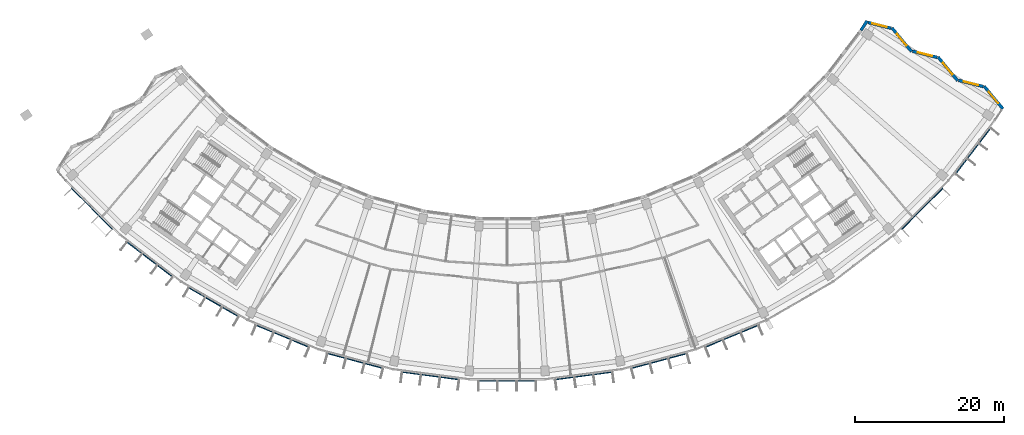
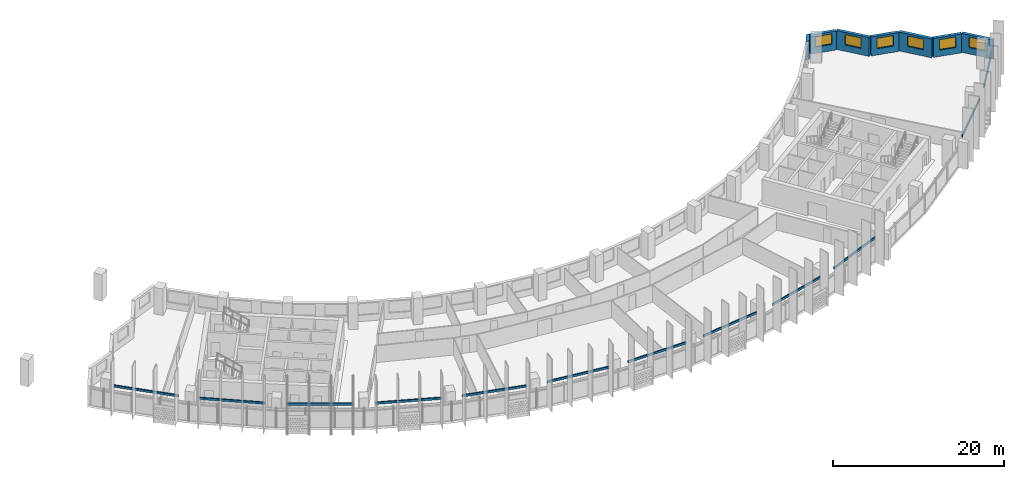
# One storey, part 8 of 26: 12 discrete accessories, 7 walls, 6 windows, 6 openings.
"""IFC4 building model written with IfcOpenShell, lengths in metres."""

from ifc_helpers import new_model, si_unit, direction, frame, frame_2d, origin, origin_2d, place, context, subcontext, project, spatial, rectangle, extrude, material, layer, layer_set, type_object, element, fill, save


model = new_model("IFC4")

# Units and contexts
model_context = context("Model", 3, precision=1e-05, world=origin(), true_north=direction((0.0, 1.0)))
body_context = subcontext(model_context, "Body", "Model", "MODEL_VIEW")
ifc_project = project(units=[si_unit("LENGTHUNIT", "METRE"), si_unit("AREAUNIT", "SQUARE_METRE"), si_unit("VOLUMEUNIT", "CUBIC_METRE"), si_unit("PLANEANGLEUNIT", "RADIAN"), si_unit("MASSUNIT", "GRAM", prefix="KILO")], contexts=[model_context])

# Site, building, storey
site_placement = place(None, origin())
site = spatial("IfcSite", under=ifc_project, at=site_placement, CompositionType="ELEMENT")
building_placement = place(site_placement, origin())
building = spatial("IfcBuilding", under=site, at=building_placement, Name="Qamariyya Broadcast Tower", CompositionType="ELEMENT")
storey_placement = place(building_placement, frame((0.0, 0.0, 156.89990234375)))
storey = spatial("IfcBuildingStorey", under=building, at=storey_placement, Name="L36", CompositionType="ELEMENT", Elevation=156.89990234375)

# Wall, opening, window
ifc_material_1 = material(Name="Terracotta", Category="masonry")
ifc_layer = layer(ifc_material_1, 0.39990234375)
ifc_layer_set = layer_set([ifc_layer], Name="Terracotta clad wall 400")
wall_type = type_object("IfcWallType", Name="Terracotta clad wall 400", PredefinedType="SOLIDWALL", material=ifc_layer_set)
wall_1_placement = place(storey_placement, frame((66.623779296875, -42.338134765625, 0.0), z_axis=(0.0, 0.0, 1.0), x_axis=(-0.637793198552, 0.770207657636, 0.0)))
wall_1 = element("IfcWall", 1, at=wall_1_placement, inside=storey, type_object=wall_type, Name="e-wl-L36-capE0", PredefinedType="SOLIDWALL", context=body_context, shape_type="SweptSolid", body=[
    extrude(rectangle(XDim=3.921630859375, YDim=0.39990234375, at=frame_2d((1.9609375, 0.0))), origin(), (0.0, 0.0, 1.0), 2.7001953125),
])
opening_1_placement = place(wall_1_placement, frame((0.9609375, 0.0, 0.89990234375)))
opening_1 = element("IfcOpeningElement", 2, at=opening_1_placement, cuts=wall_1, Name="Opening W4", PredefinedType="OPENING", context=body_context, shape_type="SweptSolid", body=[
    extrude(rectangle(XDim=2.0, YDim=1.5, at=frame_2d((1.0, 0.75))), frame((0.0, 0.2099609375, 0.0), z_axis=(0.0, -1.0, 0.0), x_axis=(1.0, 0.0, 0.0)), (0.0, 0.0, 1.0), 0.419921875),
])
ifc_material_2 = material(Name="Clear low-e double glazed unit in aluminium frame", Category="aluminium")
window_type = type_object("IfcWindowType", Name="Horn bay window 2000 x 1500", PartitioningType="SINGLE_PANEL", PredefinedType="WINDOW", material=ifc_material_2)
window_1_placement = place(opening_1_placement, origin())
window_1 = element("IfcWindow", 3, at=window_1_placement, inside=storey, type_object=window_type, Name="e-w-L36-capE0", OverallHeight=1.5, OverallWidth=2.0, PartitioningType="SINGLE_PANEL", PredefinedType="WINDOW", context=body_context, shape_type="SweptSolid", body=[
    extrude(rectangle(XDim=2.0, YDim=1.5, at=frame_2d((1.0, 0.75))), frame((0.0, 0.030029296875, 0.0), z_axis=(0.0, -1.0, 0.0), x_axis=(1.0, 0.0, 0.0)), (0.0, 0.0, 1.0), 0.06005859375),
])
fill(opening_1, window_1)

wall_2_placement = place(storey_placement, frame((63.990966796875, -39.357666015625, 0.0), z_axis=(0.0, 0.0, 1.0), x_axis=(-0.96973377057, 0.244164727626, 0.0)))
wall_2 = element("IfcWall", 4, at=wall_2_placement, inside=storey, type_object=wall_type, Name="e-wl-L36-capE1", PredefinedType="SOLIDWALL", context=body_context, shape_type="SweptSolid", body=[
    extrude(rectangle(XDim=3.419677734375, YDim=0.39990234375, at=frame_2d((1.7099609375, 0.0))), origin(), (0.0, 0.0, 1.0), 2.7001953125),
])
opening_2_placement = place(wall_2_placement, frame((0.709716796875, 0.0, 0.89990234375)))
opening_2 = element("IfcOpeningElement", 5, at=opening_2_placement, cuts=wall_2, Name="Opening W4", PredefinedType="OPENING", context=body_context, shape_type="SweptSolid", body=[
    extrude(rectangle(XDim=2.0, YDim=1.5, at=frame_2d((1.0, 0.75))), frame((0.0, 0.2099609375, 0.0), z_axis=(0.0, -1.0, 0.0), x_axis=(1.0, 0.0, 0.0)), (0.0, 0.0, 1.0), 0.419921875),
])
window_2_placement = place(opening_2_placement, origin())
window_2 = element("IfcWindow", 6, at=window_2_placement, inside=storey, type_object=window_type, Name="e-w-L36-capE1", OverallHeight=1.5, OverallWidth=2.0, PartitioningType="SINGLE_PANEL", PredefinedType="WINDOW", context=body_context, shape_type="SweptSolid", body=[
    extrude(rectangle(XDim=2.0, YDim=1.5, at=frame_2d((1.0, 0.75))), frame((0.0, 0.030029296875, 0.0), z_axis=(0.0, -1.0, 0.0), x_axis=(1.0, 0.0, 0.0)), (0.0, 0.0, 1.0), 0.06005859375),
])
fill(opening_2, window_2)

wall_3_placement = place(storey_placement, frame((60.543212890625, -38.562744140625, 0.0), z_axis=(0.0, 0.0, 1.0), x_axis=(-0.637831596913, 0.770175859125, 0.0)))
wall_3 = element("IfcWall", 7, at=wall_3_placement, inside=storey, type_object=wall_type, Name="e-wl-L36-capE2", PredefinedType="SOLIDWALL", context=body_context, shape_type="SweptSolid", body=[
    extrude(rectangle(XDim=4.108154296875, YDim=0.39990234375, at=frame_2d((2.05419921875, 0.0))), origin(), (0.0, 0.0, 1.0), 2.7001953125),
])
opening_3_placement = place(wall_3_placement, frame((1.053955078125, 0.0, 0.89990234375)))
opening_3 = element("IfcOpeningElement", 8, at=opening_3_placement, cuts=wall_3, Name="Opening W4", PredefinedType="OPENING", context=body_context, shape_type="SweptSolid", body=[
    extrude(rectangle(XDim=2.0, YDim=1.5, at=frame_2d((1.0, 0.75))), frame((0.0, 0.2099609375, 0.0), z_axis=(0.0, -1.0, 0.0), x_axis=(1.0, 0.0, 0.0)), (0.0, 0.0, 1.0), 0.419921875),
])
window_3_placement = place(opening_3_placement, origin())
window_3 = element("IfcWindow", 9, at=window_3_placement, inside=storey, type_object=window_type, Name="e-w-L36-capE2", OverallHeight=1.5, OverallWidth=2.0, PartitioningType="SINGLE_PANEL", PredefinedType="WINDOW", context=body_context, shape_type="SweptSolid", body=[
    extrude(rectangle(XDim=2.0, YDim=1.5, at=frame_2d((1.0, 0.75))), frame((0.0, 0.030029296875, 0.0), z_axis=(0.0, -1.0, 0.0), x_axis=(1.0, 0.0, 0.0)), (0.0, 0.0, 1.0), 0.06005859375),
])
fill(opening_3, window_3)

wall_4_placement = place(storey_placement, frame((57.791259765625, -35.438720703125, 0.0), z_axis=(0.0, 0.0, 1.0), x_axis=(-0.969767459927, 0.244030886705, 0.0)))
wall_4 = element("IfcWall", 10, at=wall_4_placement, inside=storey, type_object=wall_type, Name="e-wl-L36-capE3", PredefinedType="SOLIDWALL", context=body_context, shape_type="SweptSolid", body=[
    extrude(rectangle(XDim=3.41845703125, YDim=0.39990234375, at=frame_2d((1.709228515625, 0.0))), origin(), (0.0, 0.0, 1.0), 2.7001953125),
])
opening_4_placement = place(wall_4_placement, frame((0.709228515625, 0.0, 0.89990234375)))
opening_4 = element("IfcOpeningElement", 11, at=opening_4_placement, cuts=wall_4, Name="Opening W4", PredefinedType="OPENING", context=body_context, shape_type="SweptSolid", body=[
    extrude(rectangle(XDim=2.0, YDim=1.5, at=frame_2d((1.0, 0.75))), frame((0.0, 0.2099609375, 0.0), z_axis=(0.0, -1.0, 0.0), x_axis=(1.0, 0.0, 0.0)), (0.0, 0.0, 1.0), 0.419921875),
])
window_4_placement = place(opening_4_placement, origin())
window_4 = element("IfcWindow", 12, at=window_4_placement, inside=storey, type_object=window_type, Name="e-w-L36-capE3", OverallHeight=1.5, OverallWidth=2.0, PartitioningType="SINGLE_PANEL", PredefinedType="WINDOW", context=body_context, shape_type="SweptSolid", body=[
    extrude(rectangle(XDim=2.0, YDim=1.5, at=frame_2d((1.0, 0.75))), frame((0.0, 0.030029296875, 0.0), z_axis=(0.0, -1.0, 0.0), x_axis=(1.0, 0.0, 0.0)), (0.0, 0.0, 1.0), 0.06005859375),
])
fill(opening_4, window_4)

wall_5_placement = place(storey_placement, frame((54.344482421875, -34.64453125, 0.0), z_axis=(0.0, 0.0, 1.0), x_axis=(-0.637885002337, 0.770131627577, 0.0)))
wall_5 = element("IfcWall", 13, at=wall_5_placement, inside=storey, type_object=wall_type, Name="e-wl-L36-capE4", PredefinedType="SOLIDWALL", context=body_context, shape_type="SweptSolid", body=[
    extrude(rectangle(XDim=4.109375, YDim=0.39990234375, at=frame_2d((2.0546875, 0.0))), origin(), (0.0, 0.0, 1.0), 2.7001953125),
])
opening_5_placement = place(wall_5_placement, frame((1.0546875, 0.0, 0.89990234375)))
opening_5 = element("IfcOpeningElement", 14, at=opening_5_placement, cuts=wall_5, Name="Opening W4", PredefinedType="OPENING", context=body_context, shape_type="SweptSolid", body=[
    extrude(rectangle(XDim=2.0, YDim=1.5, at=frame_2d((1.0, 0.75))), frame((0.0, 0.2099609375, 0.0), z_axis=(0.0, -1.0, 0.0), x_axis=(1.0, 0.0, 0.0)), (0.0, 0.0, 1.0), 0.419921875),
])
window_5_placement = place(opening_5_placement, origin())
window_5 = element("IfcWindow", 15, at=window_5_placement, inside=storey, type_object=window_type, Name="e-w-L36-capE4", OverallHeight=1.5, OverallWidth=2.0, PartitioningType="SINGLE_PANEL", PredefinedType="WINDOW", context=body_context, shape_type="SweptSolid", body=[
    extrude(rectangle(XDim=2.0, YDim=1.5, at=frame_2d((1.0, 0.75))), frame((0.0, 0.030029296875, 0.0), z_axis=(0.0, -1.0, 0.0), x_axis=(1.0, 0.0, 0.0)), (0.0, 0.0, 1.0), 0.06005859375),
])
fill(opening_5, window_5)

wall_6_placement = place(storey_placement, frame((51.59130859375, -31.519775390625, 0.0), z_axis=(0.0, 0.0, 1.0), x_axis=(-0.96977933816, 0.243983678301, 0.0)))
wall_6 = element("IfcWall", 16, at=wall_6_placement, inside=storey, type_object=wall_type, Name="e-wl-L36-capE5", PredefinedType="SOLIDWALL", context=body_context, shape_type="SweptSolid", body=[
    extrude(rectangle(XDim=3.173095703125, YDim=0.39990234375, at=frame_2d((1.58642578125, 0.0))), origin(), (0.0, 0.0, 1.0), 2.7001953125),
])
opening_6_placement = place(wall_6_placement, frame((0.586669921875, 0.0, 0.89990234375)))
opening_6 = element("IfcOpeningElement", 17, at=opening_6_placement, cuts=wall_6, Name="Opening W4", PredefinedType="OPENING", context=body_context, shape_type="SweptSolid", body=[
    extrude(rectangle(XDim=2.0, YDim=1.5, at=frame_2d((1.0, 0.75))), frame((0.0, 0.2099609375, 0.0), z_axis=(0.0, -1.0, 0.0), x_axis=(1.0, 0.0, 0.0)), (0.0, 0.0, 1.0), 0.419921875),
])
window_6_placement = place(opening_6_placement, origin())
window_6 = element("IfcWindow", 18, at=window_6_placement, inside=storey, type_object=window_type, Name="e-w-L36-capE5", OverallHeight=1.5, OverallWidth=2.0, PartitioningType="SINGLE_PANEL", PredefinedType="WINDOW", context=body_context, shape_type="SweptSolid", body=[
    extrude(rectangle(XDim=2.0, YDim=1.5, at=frame_2d((1.0, 0.75))), frame((0.0, 0.030029296875, 0.0), z_axis=(0.0, -1.0, 0.0), x_axis=(1.0, 0.0, 0.0)), (0.0, 0.0, 1.0), 0.06005859375),
])
fill(opening_6, window_6)

# Wall
wall_7_placement = place(storey_placement, frame((48.374755859375, -30.525390625, 0.0), z_axis=(0.0, 0.0, 1.0), x_axis=(-0.544994014747, -0.838439934575, 0.0)))
element("IfcWall", 19, at=wall_7_placement, inside=storey, type_object=wall_type, Name="e-wl-L36-in150", PredefinedType="SOLIDWALL", context=body_context, shape_type="SweptSolid", body=[
    extrude(rectangle(XDim=1.51513671875, YDim=0.39990234375, at=frame_2d((0.757568359375, 0.0))), origin(), (0.0, 0.0, 1.0), 2.7001953125),
])

# Discrete accessories
ifc_material_3 = material(Name="Stainless steel 316", Category="steel")
discrete_accessory_type = type_object("IfcDiscreteAccessoryType", Name="Slab edge fixing angle, stainless steel", PredefinedType="BRACKET", material=ifc_material_3)
for number, where, z_axis, x_axis, name in (
    (20, (-55.794921875, -55.794921875, 3.30029296875), (0.0, 0.0, 1.0), (0.707106781187, -0.707106781187, 0.0), "e-br-L36-01-0"),
    (21, (-48.034912109375, -62.600341796875, 3.30029296875), (0.0, 0.0, 1.0), (0.793353340291, -0.608761429009, 0.0), "e-br-L36-02-0"),
    (22, (-39.452880859375, -68.33447265625, 3.30029296875), (0.0, 0.0, 1.0), (0.866025403784, -0.5, 0.0), "e-br-L36-03-0"),
    (23, (-30.196044921875, -72.8994140625, 3.30029296875), (0.0, 0.0, 1.0), (0.923879532511, -0.382683432365, 0.0), "e-br-L36-04-0"),
    (24, (-20.42236328125, -76.21728515625, 3.30029296875), (0.0, 0.0, 1.0), (0.965925826289, -0.258819045103, 0.0), "e-br-L36-05-0"),
    (25, (-10.29931640625, -78.230712890625, 3.30029296875), (0.0, 0.0, 1.0), (0.991444861374, -0.13052619222, 0.0), "e-br-L36-06-0"),
    (26, (0.0, -78.90576171875, 3.30029296875), (0.0, 0.0, 1.0), (1.0, 0.0, 0.0), "e-br-L36-07-0"),
    (27, (10.29931640625, -78.230712890625, 3.30029296875), (0.0, 0.0, 1.0), (0.991444861374, 0.13052619222, 0.0), "e-br-L36-08-0"),
    (28, (20.42236328125, -76.21728515625, 3.30029296875), (0.0, 0.0, 1.0), (0.965925826289, 0.258819045103, 0.0), "e-br-L36-09-0"),
    (29, (30.196044921875, -72.8994140625, 3.30029296875), (0.0, 0.0, 1.0), (0.923879532511, 0.382683432365, 0.0), "e-br-L36-10-0"),
    (30, (55.794921875, -55.794921875, 3.30029296875), (0.0, 0.0, 1.0), (0.707106781187, 0.707106781187, 0.0), "e-br-L36-13-0"),
    (31, (62.600341796875, -48.034912109375, 3.30029296875), (0.0, 0.0, 1.0), (0.608761429009, 0.793353340291, 0.0), "e-br-L36-14-0"),
):
    element("IfcDiscreteAccessory", number, at=place(storey_placement, frame(where, z_axis=z_axis, x_axis=x_axis)), inside=storey, type_object=discrete_accessory_type, Name=name, PredefinedType="BRACKET", context=body_context, shape_type="SweptSolid", body=[
        extrude(rectangle(XDim=7.850341796875, YDim=0.14990234375, at=origin_2d()), origin(), (0.0, 0.0, 1.0), 0.300048828125),
    ])

save(model, "model.ifc")
